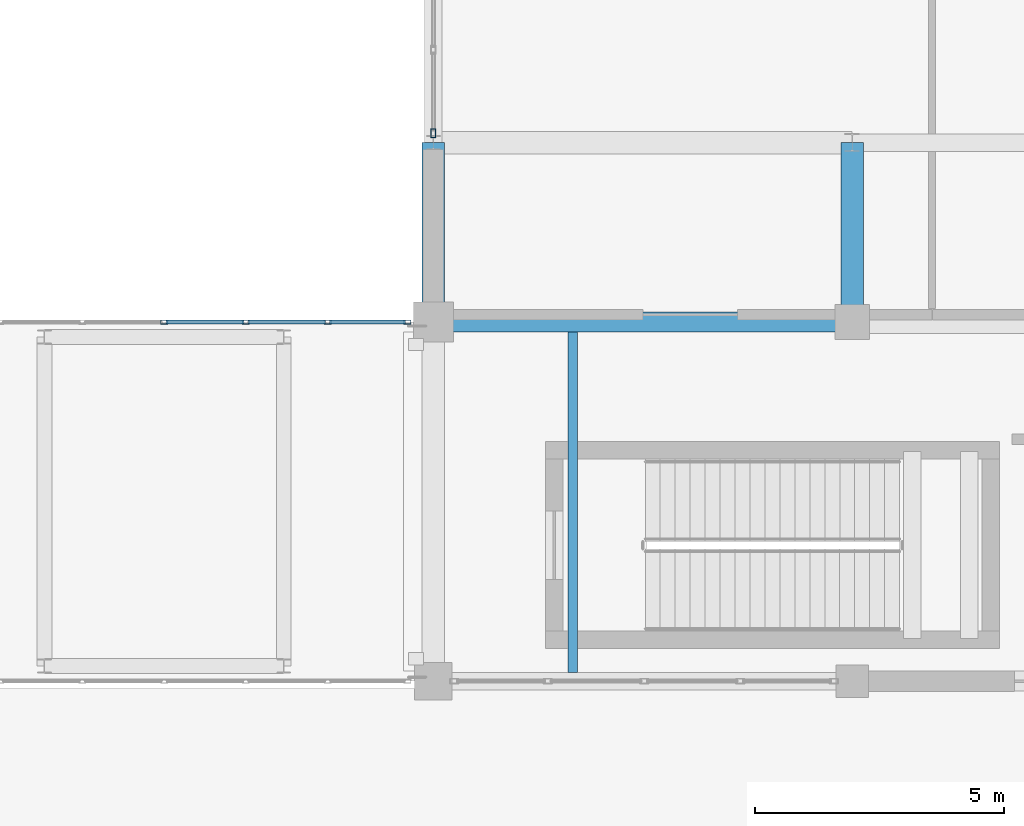
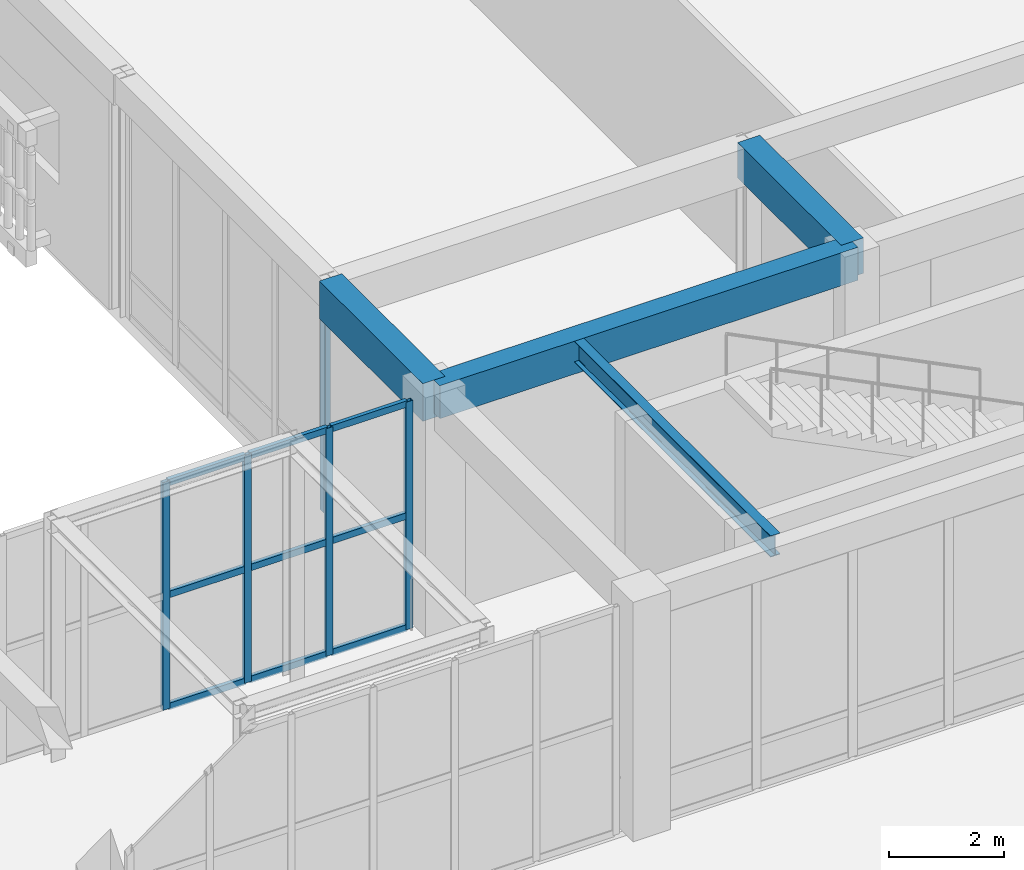
# One storey, part 66 of 169: 14 members, 4 beams, 2 elements without a shape of their own.
"""IFC4 building model written with IfcOpenShell, lengths in metres."""

from ifc_helpers import new_model, si_unit, direction, frame, origin, origin_2d, place, context, subcontext, project, spatial, rectangle, hollow_rectangle, i_section, extrude, material, layer, layer_set, material_profile, profile_set, type_object, element, aggregate, save


model = new_model("IFC4")

# Units and contexts
model_context = context("Model", 3, precision=1e-05, world=origin(), true_north=direction((0.0, 1.0)))
body_context = subcontext(model_context, "Body", "Model", "MODEL_VIEW")
ifc_project = project(units=[si_unit("LENGTHUNIT", "METRE"), si_unit("AREAUNIT", "SQUARE_METRE"), si_unit("VOLUMEUNIT", "CUBIC_METRE"), si_unit("PLANEANGLEUNIT", "RADIAN"), si_unit("MASSUNIT", "GRAM", prefix="KILO")], contexts=[model_context])

# Site, building, storey
site_placement = place(None, origin())
site = spatial("IfcSite", under=ifc_project, at=site_placement, CompositionType="ELEMENT")
building_placement = place(site_placement, origin())
building = spatial("IfcBuilding", under=site, at=building_placement, Name="Mazaris Harbour Polytechnic", CompositionType="ELEMENT")
storey_placement = place(building_placement, origin())
storey = spatial("IfcBuildingStorey", under=building, at=storey_placement, Name="L00", CompositionType="ELEMENT", Elevation=0.0)

# Curtain wall, member
ifc_material_1 = material(Name="Anodised Bronze Aluminium and Low-E Glass", Category="aluminium")
ifc_layer_1 = layer(ifc_material_1, 0.14990234375, Name="Anodised Bronze Aluminium and Low-E Glass")
ifc_layer_set_1 = layer_set([ifc_layer_1], Name="Anodised Bronze Aluminium and Low-E Glass")
curtain_wall_type_1 = type_object("IfcCurtainWallType", Name="Workshop Clerestory Curtain Wall", PredefinedType="NOTDEFINED", material=ifc_layer_set_1)
curtain_wall_1_placement = place(storey_placement, origin())
curtain_wall_1 = element("IfcCurtainWall", 1, at=curtain_wall_1_placement, inside=storey, type_object=curtain_wall_type_1, Name="V1 L00 Curtain Wall 7", PredefinedType="NOTDEFINED")
ifc_material_2 = material(Name="Anodised Bronze Steel S355", Category="steel")
ifc_material_profile_1 = material_profile(ifc_material_2, hollow_rectangle(XDim=0.10009765625, YDim=0.179931640625, WallThickness=0.008056640625, at=origin_2d()), Name="RHS 100x180x8.0")
ifc_profile_set_1 = profile_set([ifc_material_profile_1], Name="Anodised Bronze Steel S355")
member_type_1 = type_object("IfcMemberType", Name="Curtain Mullion RHS100x180", PredefinedType="MULLION", material=ifc_profile_set_1)
member_1_placement = place(storey_placement, frame((54.0, 86.5869140625, 0.0), z_axis=(0.0, 0.0, 1.0), x_axis=(-1.0, 0.0, 0.0)))
member_1 = element("IfcMember", 2, at=member_1_placement, type_object=member_type_1, Name="CW-04 mullion 1", PredefinedType="MULLION", context=body_context, shape_type="SweptSolid", body=[
    extrude(hollow_rectangle(XDim=0.10009765625, YDim=0.179931640625, WallThickness=0.008056640625, at=origin_2d()), origin(), (0.0, 0.0, 1.0), 4.469970703125),
])
aggregate(curtain_wall_1, [member_1])

# Curtain wall, members
ifc_material_3 = material(Name="Anodised Bronze Aluminium and Low-E Glass", Category="aluminium")
ifc_layer_2 = layer(ifc_material_3, 0.139892578125, Name="Anodised Bronze Aluminium and Low-E Glass")
ifc_layer_set_2 = layer_set([ifc_layer_2], Name="Anodised Bronze Aluminium and Low-E Glass")
curtain_wall_type_2 = type_object("IfcCurtainWallType", Name="Seismic Link Bridge Glazing", PredefinedType="NOTDEFINED", material=ifc_layer_set_2)
curtain_wall_2_placement = place(storey_placement, origin())
curtain_wall_2 = element("IfcCurtainWall", 3, at=curtain_wall_2_placement, inside=storey, type_object=curtain_wall_type_2, Name="PB-W2 L00 Bridge Glazing", PredefinedType="NOTDEFINED")
ifc_material_4 = material(Name="Anodised Bronze Steel S355", Category="steel")
ifc_material_profile_2 = material_profile(ifc_material_4, hollow_rectangle(XDim=0.080078125, YDim=0.139892578125, WallThickness=0.00634765625, at=origin_2d()), Name="RHS 80x140x6.3")
ifc_profile_set_2 = profile_set([ifc_material_profile_2], Name="Anodised Bronze Steel S355")
member_type_2 = type_object("IfcMemberType", Name="Curtain Mullion RHS80x140", PredefinedType="MULLION", material=ifc_profile_set_2)
member_2_placement = place(storey_placement, frame((53.47998046875, 82.800048828125, 0.0), z_axis=(0.0, 0.0, 1.0), x_axis=(0.0, -1.0, 0.0)))
member_2 = element("IfcMember", 4, at=member_2_placement, type_object=member_type_2, Name="CW-05 mullion 1", PredefinedType="MULLION", context=body_context, shape_type="SweptSolid", body=[
    extrude(hollow_rectangle(XDim=0.080078125, YDim=0.139892578125, WallThickness=0.00634765625, at=origin_2d()), origin(), (0.0, 0.0, 1.0), 4.8349609375),
])
member_3_placement = place(storey_placement, frame((51.8798828125, 82.800048828125, 0.0), z_axis=(0.0, 0.0, 1.0), x_axis=(0.0, -1.0, 0.0)))
member_3 = element("IfcMember", 5, at=member_3_placement, type_object=member_type_2, Name="CW-05 mullion 2", PredefinedType="MULLION", context=body_context, shape_type="SweptSolid", body=[
    extrude(hollow_rectangle(XDim=0.080078125, YDim=0.139892578125, WallThickness=0.00634765625, at=origin_2d()), origin(), (0.0, 0.0, 1.0), 4.8349609375),
])
member_4_placement = place(storey_placement, frame((50.239990234375, 82.800048828125, 0.0), z_axis=(0.0, 0.0, 1.0), x_axis=(0.0, -1.0, 0.0)))
member_4 = element("IfcMember", 6, at=member_4_placement, type_object=member_type_2, Name="CW-05 mullion 3", PredefinedType="MULLION", context=body_context, shape_type="SweptSolid", body=[
    extrude(hollow_rectangle(XDim=0.080078125, YDim=0.139892578125, WallThickness=0.00634765625, at=origin_2d()), origin(), (0.0, 0.0, 1.0), 4.8349609375),
])
member_5_placement = place(storey_placement, frame((48.60009765625, 82.800048828125, 0.0), z_axis=(0.0, 0.0, 1.0), x_axis=(0.0, -1.0, 0.0)))
member_5 = element("IfcMember", 7, at=member_5_placement, type_object=member_type_2, Name="CW-05 mullion 4", PredefinedType="MULLION", context=body_context, shape_type="SweptSolid", body=[
    extrude(hollow_rectangle(XDim=0.080078125, YDim=0.139892578125, WallThickness=0.00634765625, at=origin_2d()), origin(), (0.0, 0.0, 1.0), 4.8349609375),
])
ifc_material_5 = material(Name="Anodised Bronze Steel S355", Category="steel")
ifc_material_profile_3 = material_profile(ifc_material_5, hollow_rectangle(XDim=0.080078125, YDim=0.139892578125, WallThickness=0.00634765625, at=origin_2d()), Name="RHS 80x140x6.3")
ifc_profile_set_3 = profile_set([ifc_material_profile_3], Name="Anodised Bronze Steel S355")
member_type_3 = type_object("IfcMemberType", Name="Curtain Transom RHS80x140", PredefinedType="USERDEFINED", material=ifc_profile_set_3)
member_6_placement = place(storey_placement, frame((53.43994140625, 82.800048828125, 0.0400390625), z_axis=(-1.0, 0.0, 0.0), x_axis=(0.0, -1.0, 0.0)))
member_6 = element("IfcMember", 8, at=member_6_placement, type_object=member_type_3, Name="CW-05 transom 1.1", ObjectType="TRANSOM", PredefinedType="USERDEFINED", context=body_context, shape_type="SweptSolid", body=[
    extrude(hollow_rectangle(XDim=0.080078125, YDim=0.139892578125, WallThickness=0.00634765625, at=origin_2d()), origin(), (0.0, 0.0, 1.0), 1.52001953125),
])
member_7_placement = place(storey_placement, frame((53.43994140625, 82.800048828125, 2.41748046875), z_axis=(-1.0, 0.0, 0.0), x_axis=(0.0, -1.0, 0.0)))
member_7 = element("IfcMember", 9, at=member_7_placement, type_object=member_type_3, Name="CW-05 transom 1.2", ObjectType="TRANSOM", PredefinedType="USERDEFINED", context=body_context, shape_type="SweptSolid", body=[
    extrude(hollow_rectangle(XDim=0.080078125, YDim=0.139892578125, WallThickness=0.00634765625, at=origin_2d()), origin(), (0.0, 0.0, 1.0), 1.52001953125),
])
member_8_placement = place(storey_placement, frame((53.43994140625, 82.800048828125, 4.794921875), z_axis=(-1.0, 0.0, 0.0), x_axis=(0.0, -1.0, 0.0)))
member_8 = element("IfcMember", 10, at=member_8_placement, type_object=member_type_3, Name="CW-05 transom 1.3", ObjectType="TRANSOM", PredefinedType="USERDEFINED", context=body_context, shape_type="SweptSolid", body=[
    extrude(hollow_rectangle(XDim=0.080078125, YDim=0.139892578125, WallThickness=0.00634765625, at=origin_2d()), origin(), (0.0, 0.0, 1.0), 1.52001953125),
])
member_9_placement = place(storey_placement, frame((51.840087890625, 82.800048828125, 0.0400390625), z_axis=(-1.0, 0.0, 0.0), x_axis=(0.0, -1.0, 0.0)))
member_9 = element("IfcMember", 11, at=member_9_placement, type_object=member_type_3, Name="CW-05 transom 2.1", ObjectType="TRANSOM", PredefinedType="USERDEFINED", context=body_context, shape_type="SweptSolid", body=[
    extrude(hollow_rectangle(XDim=0.080078125, YDim=0.139892578125, WallThickness=0.00634765625, at=origin_2d()), origin(), (0.0, 0.0, 1.0), 1.56005859375),
])
member_10_placement = place(storey_placement, frame((51.840087890625, 82.800048828125, 2.41748046875), z_axis=(-1.0, 0.0, 0.0), x_axis=(0.0, -1.0, 0.0)))
member_10 = element("IfcMember", 12, at=member_10_placement, type_object=member_type_3, Name="CW-05 transom 2.2", ObjectType="TRANSOM", PredefinedType="USERDEFINED", context=body_context, shape_type="SweptSolid", body=[
    extrude(hollow_rectangle(XDim=0.080078125, YDim=0.139892578125, WallThickness=0.00634765625, at=origin_2d()), origin(), (0.0, 0.0, 1.0), 1.56005859375),
])
member_11_placement = place(storey_placement, frame((51.840087890625, 82.800048828125, 4.794921875), z_axis=(-1.0, 0.0, 0.0), x_axis=(0.0, -1.0, 0.0)))
member_11 = element("IfcMember", 13, at=member_11_placement, type_object=member_type_3, Name="CW-05 transom 2.3", ObjectType="TRANSOM", PredefinedType="USERDEFINED", context=body_context, shape_type="SweptSolid", body=[
    extrude(hollow_rectangle(XDim=0.080078125, YDim=0.139892578125, WallThickness=0.00634765625, at=origin_2d()), origin(), (0.0, 0.0, 1.0), 1.56005859375),
])
member_12_placement = place(storey_placement, frame((50.199951171875, 82.800048828125, 0.0400390625), z_axis=(-1.0, 0.0, 0.0), x_axis=(0.0, -1.0, 0.0)))
member_12 = element("IfcMember", 14, at=member_12_placement, type_object=member_type_3, Name="CW-05 transom 3.1", ObjectType="TRANSOM", PredefinedType="USERDEFINED", context=body_context, shape_type="SweptSolid", body=[
    extrude(hollow_rectangle(XDim=0.080078125, YDim=0.139892578125, WallThickness=0.00634765625, at=origin_2d()), origin(), (0.0, 0.0, 1.0), 1.56005859375),
])
member_13_placement = place(storey_placement, frame((50.199951171875, 82.800048828125, 2.41748046875), z_axis=(-1.0, 0.0, 0.0), x_axis=(0.0, -1.0, 0.0)))
member_13 = element("IfcMember", 15, at=member_13_placement, type_object=member_type_3, Name="CW-05 transom 3.2", ObjectType="TRANSOM", PredefinedType="USERDEFINED", context=body_context, shape_type="SweptSolid", body=[
    extrude(hollow_rectangle(XDim=0.080078125, YDim=0.139892578125, WallThickness=0.00634765625, at=origin_2d()), origin(), (0.0, 0.0, 1.0), 1.56005859375),
])
member_14_placement = place(storey_placement, frame((50.199951171875, 82.800048828125, 4.794921875), z_axis=(-1.0, 0.0, 0.0), x_axis=(0.0, -1.0, 0.0)))
member_14 = element("IfcMember", 16, at=member_14_placement, type_object=member_type_3, Name="CW-05 transom 3.3", ObjectType="TRANSOM", PredefinedType="USERDEFINED", context=body_context, shape_type="SweptSolid", body=[
    extrude(hollow_rectangle(XDim=0.080078125, YDim=0.139892578125, WallThickness=0.00634765625, at=origin_2d()), origin(), (0.0, 0.0, 1.0), 1.56005859375),
])
aggregate(curtain_wall_2, [member_2, member_3, member_4, member_5, member_6, member_7, member_8, member_9, member_10, member_11, member_12, member_13, member_14])

# Beams
ifc_material_6 = material(Name="Concrete C35/45", Category="concrete")
ifc_material_profile_4 = material_profile(ifc_material_6, rectangle(XDim=0.39990234375, YDim=0.699951171875, at=origin_2d()), Name="RECT400x700")
ifc_profile_set_4 = profile_set([ifc_material_profile_4], Name="Concrete C35/45")
beam_type_1 = type_object("IfcBeamType", Name="RC Girder 400x700", PredefinedType="BEAM", material=ifc_profile_set_4)
beam_1_placement = place(storey_placement, frame((54.0, 82.800048828125, 4.72998046875), z_axis=(1.0, 0.0, 0.0), x_axis=(0.0, 1.0, 0.0)))
element("IfcBeam", 17, at=beam_1_placement, inside=storey, type_object=beam_type_1, Name="V1 L00 Girder 182", PredefinedType="BEAM", context=body_context, shape_type="SweptSolid", body=[
    extrude(rectangle(XDim=0.39990234375, YDim=0.699951171875, at=origin_2d()), origin(), (0.0, 0.0, 1.0), 8.39990234375),
])
ifc_material_7 = material(Name="Concrete C40/50", Category="concrete")
ifc_material_profile_5 = material_profile(ifc_material_7, rectangle(XDim=0.449951171875, YDim=0.75, at=origin_2d()), Name="RECT450x750")
ifc_profile_set_5 = profile_set([ifc_material_profile_5], Name="Concrete C40/50")
beam_type_2 = type_object("IfcBeamType", Name="RC Girder 450x750", PredefinedType="BEAM", material=ifc_profile_set_5)
beam_2_placement = place(storey_placement, frame((62.39990234375, 82.800048828125, 4.705078125), z_axis=(0.0, 1.0, 0.0), x_axis=(-1.0, 0.0, 0.0)))
element("IfcBeam", 18, at=beam_2_placement, inside=storey, type_object=beam_type_2, Name="V1 L00 Tie Girder 208", PredefinedType="BEAM", context=body_context, shape_type="SweptSolid", body=[
    extrude(rectangle(XDim=0.449951171875, YDim=0.75, at=origin_2d()), origin(), (0.0, 0.0, 1.0), 3.599853515625),
])
ifc_material_8 = material(Name="Concrete C40/50", Category="concrete")
ifc_material_profile_6 = material_profile(ifc_material_8, rectangle(XDim=0.449951171875, YDim=0.800048828125, at=origin_2d()), Name="RECT450x800")
ifc_profile_set_6 = profile_set([ifc_material_profile_6], Name="Concrete C40/50")
beam_type_3 = type_object("IfcBeamType", Name="RC Girder 450x800 Exterior", PredefinedType="BEAM", material=ifc_profile_set_6)
beam_3_placement = place(storey_placement, frame((54.0, 82.800048828125, 4.679931640625), z_axis=(0.0, 1.0, 0.0), x_axis=(-1.0, 0.0, 0.0)))
element("IfcBeam", 19, at=beam_3_placement, inside=storey, type_object=beam_type_3, Name="V1 L00 Tie Girder 204", PredefinedType="BEAM", context=body_context, shape_type="SweptSolid", body=[
    extrude(rectangle(XDim=0.449951171875, YDim=0.800048828125, at=origin_2d()), origin(), (0.0, 0.0, 1.0), 3.599853515625),
])
ifc_material_9 = material(Name="Steel S355", Category="steel")
ifc_material_profile_7 = material_profile(ifc_material_9, i_section(OverallWidth=0.18994140625, OverallDepth=0.449951171875, WebThickness=0.009521484375, FlangeThickness=0.0146484375, FilletRadius=0.02099609375, at=origin_2d()), Name="IPE 450")
ifc_profile_set_7 = profile_set([ifc_material_profile_7], Name="Steel S355")
beam_type_4 = type_object("IfcBeamType", Name="Steel Joist IPE450", PredefinedType="JOIST", material=ifc_profile_set_7)
beam_4_placement = place(storey_placement, frame((56.800048828125, 75.77490234375, 4.85498046875), z_axis=(0.0, 1.0, 0.0), x_axis=(-1.0, 0.0, 0.0)))
element("IfcBeam", 20, at=beam_4_placement, inside=storey, type_object=beam_type_4, Name="V1 L00 Floor Joist 223", PredefinedType="JOIST", context=body_context, shape_type="SweptSolid", body=[
    extrude(i_section(OverallWidth=0.18994140625, OverallDepth=0.449951171875, WebThickness=0.009521484375, FlangeThickness=0.0146484375, FilletRadius=0.02099609375, at=origin_2d()), origin(), (0.0, 0.0, 1.0), 6.8251953125),
])

save(model, "model.ifc")
